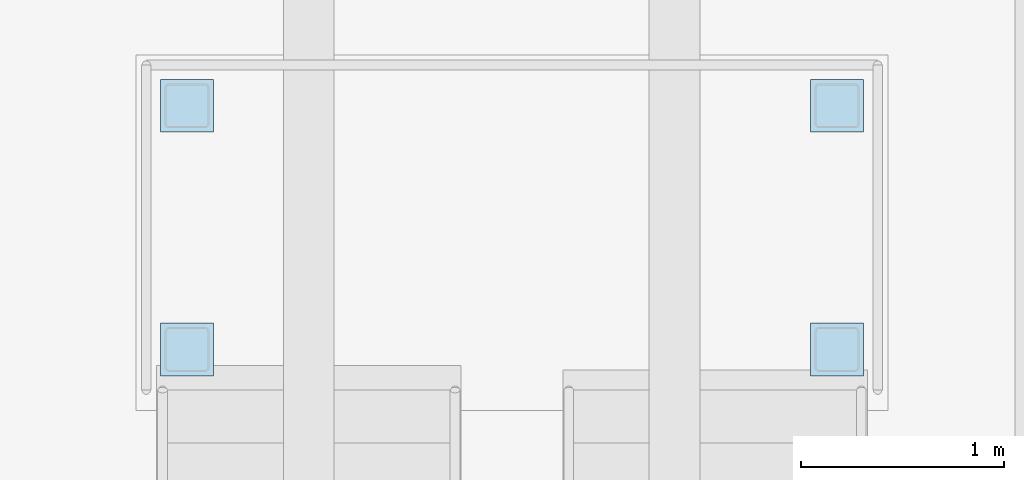
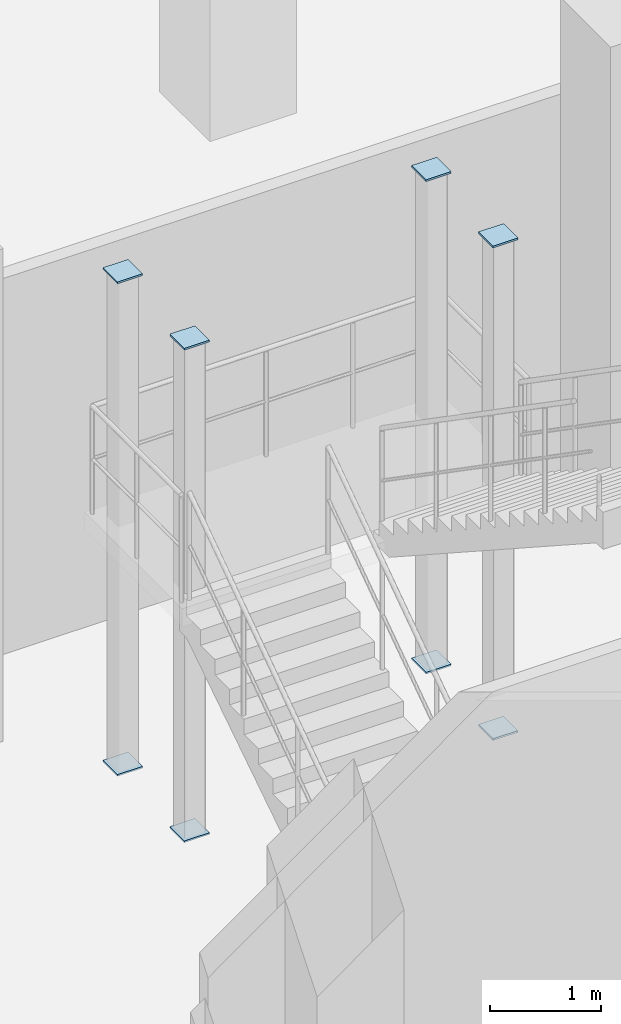
# One storey, part 62 of 79: 8 plates.
"""IFC4 building model written with IfcOpenShell, lengths in metres."""

from ifc_helpers import new_model, si_unit, direction, frame, origin, origin_2d, place, context, subcontext, project, spatial, rectangle, extrude, material, layer, layer_set, type_object, element, save


model = new_model("IFC4")

# Units and contexts
model_context = context("Model", 3, precision=1e-05, world=origin(), true_north=direction((0.0, 1.0)))
body_context = subcontext(model_context, "Body", "Model", "MODEL_VIEW")
ifc_project = project(units=[si_unit("LENGTHUNIT", "METRE"), si_unit("AREAUNIT", "SQUARE_METRE"), si_unit("VOLUMEUNIT", "CUBIC_METRE"), si_unit("PLANEANGLEUNIT", "RADIAN"), si_unit("MASSUNIT", "GRAM", prefix="KILO")], contexts=[model_context])

# Site, building, storey
site_placement = place(None, origin())
site = spatial("IfcSite", under=ifc_project, at=site_placement, CompositionType="ELEMENT")
building_placement = place(site_placement, origin())
building = spatial("IfcBuilding", under=site, at=building_placement, Name="Qiaolan Assembly House", CompositionType="ELEMENT")
storey_placement = place(building_placement, origin())
storey = spatial("IfcBuildingStorey", under=building, at=storey_placement, Name="L00", CompositionType="ELEMENT", Elevation=0.0)

# Plates
ifc_material = material(Name="Steel Q355B", Category="steel")
ifc_layer = layer(ifc_material, 0.02001953125)
ifc_layer_set = layer_set([ifc_layer], Name="Steel Q355B")
plate_type = type_object("IfcPlateType", Name="PLT-CAP-STL-20", PredefinedType="SHEET", material=ifc_layer_set)
for number, where, z_axis, x_axis, name in (
    (1, (159.60009765625, 69.5, -0.010009765625), (0.0, 0.0, 1.0), (1.0, 0.0, 0.0), "NP-04 steel hollow-section seal cap plate 381"),
    (2, (159.60009765625, 69.5, 5.389892578125), (0.0, 0.0, 1.0), (1.0, 0.0, 0.0), "NP-04 steel hollow-section seal cap plate 382"),
    (3, (162.800048828125, 69.5, -0.010009765625), (0.0, 0.0, 1.0), (1.0, 0.0, 0.0), "NP-04 steel hollow-section seal cap plate 384"),
    (4, (162.800048828125, 69.5, 5.389892578125), (0.0, 0.0, 1.0), (1.0, 0.0, 0.0), "NP-04 steel hollow-section seal cap plate 385"),
    (5, (159.60009765625, 70.699951171875, -0.010009765625), (0.0, 0.0, 1.0), (1.0, 0.0, 0.0), "NP-04 steel hollow-section seal cap plate 387"),
    (6, (159.60009765625, 70.699951171875, 5.389892578125), (0.0, 0.0, 1.0), (1.0, 0.0, 0.0), "NP-04 steel hollow-section seal cap plate 388"),
    (7, (162.800048828125, 70.699951171875, -0.010009765625), (0.0, 0.0, 1.0), (1.0, 0.0, 0.0), "NP-04 steel hollow-section seal cap plate 390"),
    (8, (162.800048828125, 70.699951171875, 5.389892578125), (0.0, 0.0, 1.0), (1.0, 0.0, 0.0), "NP-04 steel hollow-section seal cap plate 391"),
):
    element("IfcPlate", number, at=place(storey_placement, frame(where, z_axis=z_axis, x_axis=x_axis)), inside=storey, type_object=plate_type, Name=name, PredefinedType="SHEET", context=body_context, shape_type="SweptSolid", body=[
        extrude(rectangle(XDim=0.260009765625, YDim=0.260009765625, at=origin_2d()), origin(), (0.0, 0.0, 1.0), 0.02001953125),
    ])

save(model, "model.ifc")
